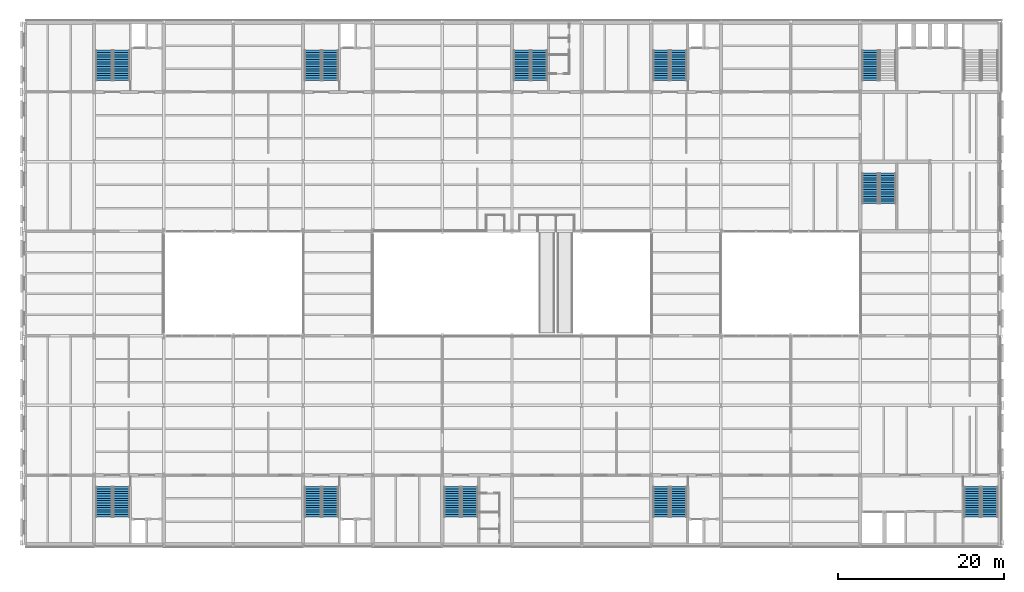
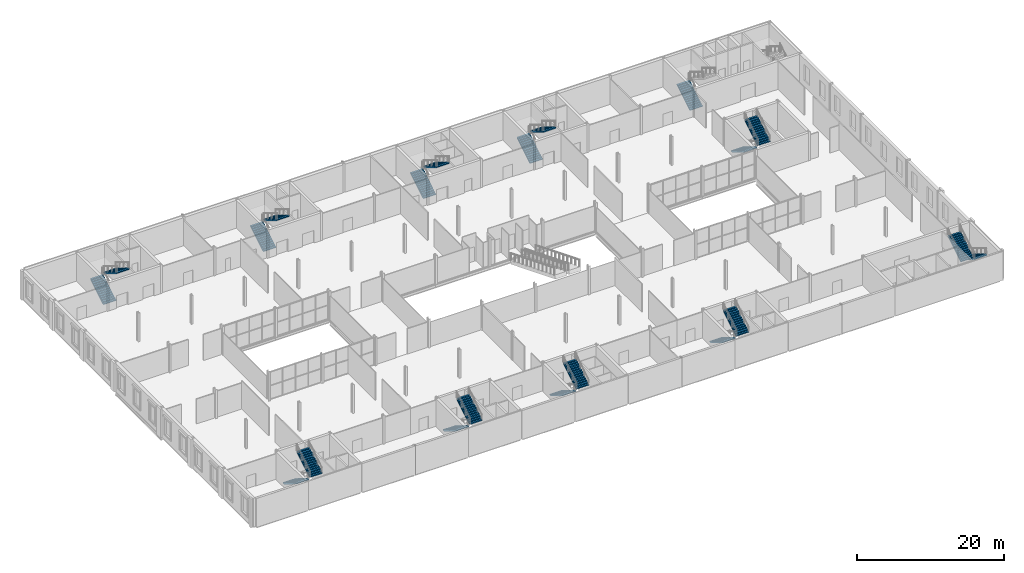
# One storey, part 35 of 52: 21 stair flights, 11 elements without a shape of their own.
"""IFC4 building model written with IfcOpenShell, lengths in metres."""

from ifc_helpers import new_model, si_unit, direction, frame, origin, place, context, subcontext, project, spatial, polyline, outline, extrude, material, type_object, element, aggregate, save


model = new_model("IFC4")

# Units and contexts
model_context = context("Model", 3, precision=1e-05, world=origin(), true_north=direction((0.0, 1.0)))
body_context = subcontext(model_context, "Body", "Model", "MODEL_VIEW")
ifc_project = project(units=[si_unit("LENGTHUNIT", "METRE"), si_unit("AREAUNIT", "SQUARE_METRE"), si_unit("VOLUMEUNIT", "CUBIC_METRE"), si_unit("PLANEANGLEUNIT", "RADIAN"), si_unit("MASSUNIT", "GRAM", prefix="KILO")], contexts=[model_context])

# Site, building, storey
site_placement = place(None, origin())
site = spatial("IfcSite", under=ifc_project, at=site_placement, CompositionType="ELEMENT")
building_placement = place(site_placement, origin())
building = spatial("IfcBuilding", under=site, at=building_placement, Name="Galleria Vessillo Department Store", CompositionType="ELEMENT")
storey_placement = place(building_placement, frame((0.0, 0.0, 16.199951171875)))
storey = spatial("IfcBuildingStorey", under=building, at=storey_placement, Name="L03", CompositionType="ELEMENT", Elevation=16.199951171875)

# Stair, stair flights
ifc_material_1 = material(Name="Concrete C32/40", Category="concrete")
stair_type = type_object("IfcStairType", Name="Half-turn escape stair 2000 mm, 28 risers of 171 mm", PredefinedType="HALF_TURN_STAIR", material=ifc_material_1)
stair_1_placement = place(storey_placement, origin())
stair_1 = element("IfcStair", 1, at=stair_1_placement, inside=storey, type_object=stair_type, Name="Stair ST1 L03", PredefinedType="HALF_TURN_STAIR")
ifc_material_2 = material(Name="Concrete C32/40", Category="concrete")
stair_flight_type = type_object("IfcStairFlightType", Name="Stair flight 2000 mm, 14 risers of 171 mm", PredefinedType="STRAIGHT", material=ifc_material_2)
stair_flight_1_placement = place(storey_placement, frame((9.60009765625, 7.00048828125, 0.0), z_axis=(0.0, 0.0, 1.0), x_axis=(0.0, -1.0, 0.0)))
stair_flight_1 = element("IfcStairFlight", 2, at=stair_flight_1_placement, type_object=stair_flight_type, Name="ST1 flight 1", NumberOfRisers=14, NumberOfTreads=13, PredefinedType="STRAIGHT", RiserHeight=0.171428571, TreadLength=0.28, context=body_context, shape_type="SweptSolid", body=[
    extrude(outline(polyline([(0.0, 0.0), (0.0, 0.17138671875), (0.280029296875, 0.17138671875), (0.280029296875, 0.3427734375), (0.56005859375, 0.3427734375), (0.56005859375, 0.514404296875), (0.840087890625, 0.514404296875), (0.840087890625, 0.685791015625), (1.1201171875, 0.685791015625), (1.1201171875, 0.857177734375), (1.39990234375, 0.857177734375), (1.39990234375, 1.028564453125), (1.679931640625, 1.028564453125), (1.679931640625, 1.199951171875), (1.9599609375, 1.199951171875), (1.9599609375, 1.371337890625), (2.239990234375, 1.371337890625), (2.239990234375, 1.54296875), (2.52001953125, 1.54296875), (2.52001953125, 1.71435546875), (2.800048828125, 1.71435546875), (2.800048828125, 1.8857421875), (3.080078125, 1.8857421875), (3.080078125, 2.05712890625), (3.360107421875, 2.05712890625), (3.360107421875, 2.228515625), (3.639892578125, 2.228515625), (3.639892578125, 2.39990234375), (3.639892578125, 2.052734375), (0.287109375, 0.0), (0.0, 0.0)])), frame((0.0, 1.0, 0.0), z_axis=(0.0, -1.0, 0.0), x_axis=(1.0, 0.0, 0.0)), (0.0, 0.0, 1.0), 2.0),
])
stair_flight_2_placement = place(storey_placement, frame((11.699951171875, 3.360595703125, 2.400146484375), z_axis=(0.0, 0.0, 1.0), x_axis=(0.0, 1.0, 0.0)))
stair_flight_2 = element("IfcStairFlight", 3, at=stair_flight_2_placement, type_object=stair_flight_type, Name="ST1 flight 2", NumberOfRisers=14, NumberOfTreads=13, PredefinedType="STRAIGHT", RiserHeight=0.171428571, TreadLength=0.28, context=body_context, shape_type="SweptSolid", body=[
    extrude(outline(polyline([(0.0, 0.0), (0.0, 0.17138671875), (0.280029296875, 0.17138671875), (0.280029296875, 0.3427734375), (0.56005859375, 0.3427734375), (0.56005859375, 0.514404296875), (0.840087890625, 0.514404296875), (0.840087890625, 0.685791015625), (1.1201171875, 0.685791015625), (1.1201171875, 0.857177734375), (1.39990234375, 0.857177734375), (1.39990234375, 1.028564453125), (1.679931640625, 1.028564453125), (1.679931640625, 1.199951171875), (1.9599609375, 1.199951171875), (1.9599609375, 1.371337890625), (2.239990234375, 1.371337890625), (2.239990234375, 1.54296875), (2.52001953125, 1.54296875), (2.52001953125, 1.71435546875), (2.800048828125, 1.71435546875), (2.800048828125, 1.8857421875), (3.080078125, 1.8857421875), (3.080078125, 2.05712890625), (3.360107421875, 2.05712890625), (3.360107421875, 2.228515625), (3.639892578125, 2.228515625), (3.639892578125, 2.39990234375), (3.639892578125, 2.052734375), (0.287109375, 0.0), (0.0, 0.0)])), frame((0.0, 1.0, 0.0), z_axis=(0.0, -1.0, 0.0), x_axis=(1.0, 0.0, 0.0)), (0.0, 0.0, 1.0), 2.0),
])
aggregate(stair_1, [stair_flight_1, stair_flight_2])

stair_2_placement = place(storey_placement, origin())
stair_2 = element("IfcStair", 4, at=stair_2_placement, inside=storey, type_object=stair_type, Name="Stair ST2 L03", PredefinedType="HALF_TURN_STAIR")
stair_flight_3_placement = place(storey_placement, frame((9.60009765625, 55.99951171875, 0.0), z_axis=(0.0, 0.0, 1.0), x_axis=(0.0, 1.0, 0.0)))
stair_flight_3 = element("IfcStairFlight", 5, at=stair_flight_3_placement, type_object=stair_flight_type, Name="ST2 flight 1", NumberOfRisers=14, NumberOfTreads=13, PredefinedType="STRAIGHT", RiserHeight=0.171428571, TreadLength=0.28, context=body_context, shape_type="SweptSolid", body=[
    extrude(outline(polyline([(0.0, 0.0), (0.0, 0.17138671875), (0.280029296875, 0.17138671875), (0.280029296875, 0.3427734375), (0.56005859375, 0.3427734375), (0.56005859375, 0.514404296875), (0.840087890625, 0.514404296875), (0.840087890625, 0.685791015625), (1.1201171875, 0.685791015625), (1.1201171875, 0.857177734375), (1.39990234375, 0.857177734375), (1.39990234375, 1.028564453125), (1.679931640625, 1.028564453125), (1.679931640625, 1.199951171875), (1.9599609375, 1.199951171875), (1.9599609375, 1.371337890625), (2.239990234375, 1.371337890625), (2.239990234375, 1.54296875), (2.52001953125, 1.54296875), (2.52001953125, 1.71435546875), (2.800048828125, 1.71435546875), (2.800048828125, 1.8857421875), (3.080078125, 1.8857421875), (3.080078125, 2.05712890625), (3.360107421875, 2.05712890625), (3.360107421875, 2.228515625), (3.639892578125, 2.228515625), (3.639892578125, 2.39990234375), (3.639892578125, 2.052734375), (0.287109375, 0.0), (0.0, 0.0)])), frame((0.0, 1.0, 0.0), z_axis=(0.0, -1.0, 0.0), x_axis=(1.0, 0.0, 0.0)), (0.0, 0.0, 1.0), 2.0),
])
stair_flight_4_placement = place(storey_placement, frame((11.699951171875, 59.639404296875, 2.400146484375), z_axis=(0.0, 0.0, 1.0), x_axis=(0.0, -1.0, 0.0)))
stair_flight_4 = element("IfcStairFlight", 6, at=stair_flight_4_placement, type_object=stair_flight_type, Name="ST2 flight 2", NumberOfRisers=14, NumberOfTreads=13, PredefinedType="STRAIGHT", RiserHeight=0.171428571, TreadLength=0.28, context=body_context, shape_type="SweptSolid", body=[
    extrude(outline(polyline([(0.0, 0.0), (0.0, 0.17138671875), (0.280029296875, 0.17138671875), (0.280029296875, 0.3427734375), (0.56005859375, 0.3427734375), (0.56005859375, 0.514404296875), (0.840087890625, 0.514404296875), (0.840087890625, 0.685791015625), (1.1201171875, 0.685791015625), (1.1201171875, 0.857177734375), (1.39990234375, 0.857177734375), (1.39990234375, 1.028564453125), (1.679931640625, 1.028564453125), (1.679931640625, 1.199951171875), (1.9599609375, 1.199951171875), (1.9599609375, 1.371337890625), (2.239990234375, 1.371337890625), (2.239990234375, 1.54296875), (2.52001953125, 1.54296875), (2.52001953125, 1.71435546875), (2.800048828125, 1.71435546875), (2.800048828125, 1.8857421875), (3.080078125, 1.8857421875), (3.080078125, 2.05712890625), (3.360107421875, 2.05712890625), (3.360107421875, 2.228515625), (3.639892578125, 2.228515625), (3.639892578125, 2.39990234375), (3.639892578125, 2.052734375), (0.287109375, 0.0), (0.0, 0.0)])), frame((0.0, 1.0, 0.0), z_axis=(0.0, -1.0, 0.0), x_axis=(1.0, 0.0, 0.0)), (0.0, 0.0, 1.0), 2.0),
])
aggregate(stair_2, [stair_flight_3, stair_flight_4])

stair_3_placement = place(storey_placement, origin())
stair_3 = element("IfcStair", 7, at=stair_3_placement, inside=storey, type_object=stair_type, Name="Stair ST3 L03", PredefinedType="HALF_TURN_STAIR")
stair_flight_5_placement = place(storey_placement, frame((34.800048828125, 7.00048828125, 0.0), z_axis=(0.0, 0.0, 1.0), x_axis=(0.0, -1.0, 0.0)))
stair_flight_5 = element("IfcStairFlight", 8, at=stair_flight_5_placement, type_object=stair_flight_type, Name="ST3 flight 1", NumberOfRisers=14, NumberOfTreads=13, PredefinedType="STRAIGHT", RiserHeight=0.171428571, TreadLength=0.28, context=body_context, shape_type="SweptSolid", body=[
    extrude(outline(polyline([(0.0, 0.0), (0.0, 0.17138671875), (0.280029296875, 0.17138671875), (0.280029296875, 0.3427734375), (0.56005859375, 0.3427734375), (0.56005859375, 0.514404296875), (0.840087890625, 0.514404296875), (0.840087890625, 0.685791015625), (1.1201171875, 0.685791015625), (1.1201171875, 0.857177734375), (1.39990234375, 0.857177734375), (1.39990234375, 1.028564453125), (1.679931640625, 1.028564453125), (1.679931640625, 1.199951171875), (1.9599609375, 1.199951171875), (1.9599609375, 1.371337890625), (2.239990234375, 1.371337890625), (2.239990234375, 1.54296875), (2.52001953125, 1.54296875), (2.52001953125, 1.71435546875), (2.800048828125, 1.71435546875), (2.800048828125, 1.8857421875), (3.080078125, 1.8857421875), (3.080078125, 2.05712890625), (3.360107421875, 2.05712890625), (3.360107421875, 2.228515625), (3.639892578125, 2.228515625), (3.639892578125, 2.39990234375), (3.639892578125, 2.052734375), (0.287109375, 0.0), (0.0, 0.0)])), frame((0.0, 1.0, 0.0), z_axis=(0.0, -1.0, 0.0), x_axis=(1.0, 0.0, 0.0)), (0.0, 0.0, 1.0), 2.0),
])
stair_flight_6_placement = place(storey_placement, frame((36.89990234375, 3.360595703125, 2.400146484375), z_axis=(0.0, 0.0, 1.0), x_axis=(0.0, 1.0, 0.0)))
stair_flight_6 = element("IfcStairFlight", 9, at=stair_flight_6_placement, type_object=stair_flight_type, Name="ST3 flight 2", NumberOfRisers=14, NumberOfTreads=13, PredefinedType="STRAIGHT", RiserHeight=0.171428571, TreadLength=0.28, context=body_context, shape_type="SweptSolid", body=[
    extrude(outline(polyline([(0.0, 0.0), (0.0, 0.17138671875), (0.280029296875, 0.17138671875), (0.280029296875, 0.3427734375), (0.56005859375, 0.3427734375), (0.56005859375, 0.514404296875), (0.840087890625, 0.514404296875), (0.840087890625, 0.685791015625), (1.1201171875, 0.685791015625), (1.1201171875, 0.857177734375), (1.39990234375, 0.857177734375), (1.39990234375, 1.028564453125), (1.679931640625, 1.028564453125), (1.679931640625, 1.199951171875), (1.9599609375, 1.199951171875), (1.9599609375, 1.371337890625), (2.239990234375, 1.371337890625), (2.239990234375, 1.54296875), (2.52001953125, 1.54296875), (2.52001953125, 1.71435546875), (2.800048828125, 1.71435546875), (2.800048828125, 1.8857421875), (3.080078125, 1.8857421875), (3.080078125, 2.05712890625), (3.360107421875, 2.05712890625), (3.360107421875, 2.228515625), (3.639892578125, 2.228515625), (3.639892578125, 2.39990234375), (3.639892578125, 2.052734375), (0.287109375, 0.0), (0.0, 0.0)])), frame((0.0, 1.0, 0.0), z_axis=(0.0, -1.0, 0.0), x_axis=(1.0, 0.0, 0.0)), (0.0, 0.0, 1.0), 2.0),
])
aggregate(stair_3, [stair_flight_5, stair_flight_6])

stair_4_placement = place(storey_placement, origin())
stair_4 = element("IfcStair", 10, at=stair_4_placement, inside=storey, type_object=stair_type, Name="Stair ST4 L03", PredefinedType="HALF_TURN_STAIR")
stair_flight_7_placement = place(storey_placement, frame((34.800048828125, 55.99951171875, 0.0), z_axis=(0.0, 0.0, 1.0), x_axis=(0.0, 1.0, 0.0)))
stair_flight_7 = element("IfcStairFlight", 11, at=stair_flight_7_placement, type_object=stair_flight_type, Name="ST4 flight 1", NumberOfRisers=14, NumberOfTreads=13, PredefinedType="STRAIGHT", RiserHeight=0.171428571, TreadLength=0.28, context=body_context, shape_type="SweptSolid", body=[
    extrude(outline(polyline([(0.0, 0.0), (0.0, 0.17138671875), (0.280029296875, 0.17138671875), (0.280029296875, 0.3427734375), (0.56005859375, 0.3427734375), (0.56005859375, 0.514404296875), (0.840087890625, 0.514404296875), (0.840087890625, 0.685791015625), (1.1201171875, 0.685791015625), (1.1201171875, 0.857177734375), (1.39990234375, 0.857177734375), (1.39990234375, 1.028564453125), (1.679931640625, 1.028564453125), (1.679931640625, 1.199951171875), (1.9599609375, 1.199951171875), (1.9599609375, 1.371337890625), (2.239990234375, 1.371337890625), (2.239990234375, 1.54296875), (2.52001953125, 1.54296875), (2.52001953125, 1.71435546875), (2.800048828125, 1.71435546875), (2.800048828125, 1.8857421875), (3.080078125, 1.8857421875), (3.080078125, 2.05712890625), (3.360107421875, 2.05712890625), (3.360107421875, 2.228515625), (3.639892578125, 2.228515625), (3.639892578125, 2.39990234375), (3.639892578125, 2.052734375), (0.287109375, 0.0), (0.0, 0.0)])), frame((0.0, 1.0, 0.0), z_axis=(0.0, -1.0, 0.0), x_axis=(1.0, 0.0, 0.0)), (0.0, 0.0, 1.0), 2.0),
])
stair_flight_8_placement = place(storey_placement, frame((36.89990234375, 59.639404296875, 2.400146484375), z_axis=(0.0, 0.0, 1.0), x_axis=(0.0, -1.0, 0.0)))
stair_flight_8 = element("IfcStairFlight", 12, at=stair_flight_8_placement, type_object=stair_flight_type, Name="ST4 flight 2", NumberOfRisers=14, NumberOfTreads=13, PredefinedType="STRAIGHT", RiserHeight=0.171428571, TreadLength=0.28, context=body_context, shape_type="SweptSolid", body=[
    extrude(outline(polyline([(0.0, 0.0), (0.0, 0.17138671875), (0.280029296875, 0.17138671875), (0.280029296875, 0.3427734375), (0.56005859375, 0.3427734375), (0.56005859375, 0.514404296875), (0.840087890625, 0.514404296875), (0.840087890625, 0.685791015625), (1.1201171875, 0.685791015625), (1.1201171875, 0.857177734375), (1.39990234375, 0.857177734375), (1.39990234375, 1.028564453125), (1.679931640625, 1.028564453125), (1.679931640625, 1.199951171875), (1.9599609375, 1.199951171875), (1.9599609375, 1.371337890625), (2.239990234375, 1.371337890625), (2.239990234375, 1.54296875), (2.52001953125, 1.54296875), (2.52001953125, 1.71435546875), (2.800048828125, 1.71435546875), (2.800048828125, 1.8857421875), (3.080078125, 1.8857421875), (3.080078125, 2.05712890625), (3.360107421875, 2.05712890625), (3.360107421875, 2.228515625), (3.639892578125, 2.228515625), (3.639892578125, 2.39990234375), (3.639892578125, 2.052734375), (0.287109375, 0.0), (0.0, 0.0)])), frame((0.0, 1.0, 0.0), z_axis=(0.0, -1.0, 0.0), x_axis=(1.0, 0.0, 0.0)), (0.0, 0.0, 1.0), 2.0),
])
aggregate(stair_4, [stair_flight_7, stair_flight_8])

stair_5_placement = place(storey_placement, origin())
stair_5 = element("IfcStair", 13, at=stair_5_placement, inside=storey, type_object=stair_type, Name="Stair ST5 L03", PredefinedType="HALF_TURN_STAIR")
stair_flight_9_placement = place(storey_placement, frame((76.800048828125, 7.00048828125, 0.0), z_axis=(0.0, 0.0, 1.0), x_axis=(0.0, -1.0, 0.0)))
stair_flight_9 = element("IfcStairFlight", 14, at=stair_flight_9_placement, type_object=stair_flight_type, Name="ST5 flight 1", NumberOfRisers=14, NumberOfTreads=13, PredefinedType="STRAIGHT", RiserHeight=0.171428571, TreadLength=0.28, context=body_context, shape_type="SweptSolid", body=[
    extrude(outline(polyline([(0.0, 0.0), (0.0, 0.17138671875), (0.280029296875, 0.17138671875), (0.280029296875, 0.3427734375), (0.56005859375, 0.3427734375), (0.56005859375, 0.514404296875), (0.840087890625, 0.514404296875), (0.840087890625, 0.685791015625), (1.1201171875, 0.685791015625), (1.1201171875, 0.857177734375), (1.39990234375, 0.857177734375), (1.39990234375, 1.028564453125), (1.679931640625, 1.028564453125), (1.679931640625, 1.199951171875), (1.9599609375, 1.199951171875), (1.9599609375, 1.371337890625), (2.239990234375, 1.371337890625), (2.239990234375, 1.54296875), (2.52001953125, 1.54296875), (2.52001953125, 1.71435546875), (2.800048828125, 1.71435546875), (2.800048828125, 1.8857421875), (3.080078125, 1.8857421875), (3.080078125, 2.05712890625), (3.360107421875, 2.05712890625), (3.360107421875, 2.228515625), (3.639892578125, 2.228515625), (3.639892578125, 2.39990234375), (3.639892578125, 2.052734375), (0.287109375, 0.0), (0.0, 0.0)])), frame((0.0, 1.0, 0.0), z_axis=(0.0, -1.0, 0.0), x_axis=(1.0, 0.0, 0.0)), (0.0, 0.0, 1.0), 2.0),
])
stair_flight_10_placement = place(storey_placement, frame((78.89990234375, 3.360595703125, 2.400146484375), z_axis=(0.0, 0.0, 1.0), x_axis=(0.0, 1.0, 0.0)))
stair_flight_10 = element("IfcStairFlight", 15, at=stair_flight_10_placement, type_object=stair_flight_type, Name="ST5 flight 2", NumberOfRisers=14, NumberOfTreads=13, PredefinedType="STRAIGHT", RiserHeight=0.171428571, TreadLength=0.28, context=body_context, shape_type="SweptSolid", body=[
    extrude(outline(polyline([(0.0, 0.0), (0.0, 0.17138671875), (0.280029296875, 0.17138671875), (0.280029296875, 0.3427734375), (0.56005859375, 0.3427734375), (0.56005859375, 0.514404296875), (0.840087890625, 0.514404296875), (0.840087890625, 0.685791015625), (1.1201171875, 0.685791015625), (1.1201171875, 0.857177734375), (1.39990234375, 0.857177734375), (1.39990234375, 1.028564453125), (1.679931640625, 1.028564453125), (1.679931640625, 1.199951171875), (1.9599609375, 1.199951171875), (1.9599609375, 1.371337890625), (2.239990234375, 1.371337890625), (2.239990234375, 1.54296875), (2.52001953125, 1.54296875), (2.52001953125, 1.71435546875), (2.800048828125, 1.71435546875), (2.800048828125, 1.8857421875), (3.080078125, 1.8857421875), (3.080078125, 2.05712890625), (3.360107421875, 2.05712890625), (3.360107421875, 2.228515625), (3.639892578125, 2.228515625), (3.639892578125, 2.39990234375), (3.639892578125, 2.052734375), (0.287109375, 0.0), (0.0, 0.0)])), frame((0.0, 1.0, 0.0), z_axis=(0.0, -1.0, 0.0), x_axis=(1.0, 0.0, 0.0)), (0.0, 0.0, 1.0), 2.0),
])
aggregate(stair_5, [stair_flight_9, stair_flight_10])

stair_6_placement = place(storey_placement, origin())
stair_6 = element("IfcStair", 16, at=stair_6_placement, inside=storey, type_object=stair_type, Name="Stair ST6 L03", PredefinedType="HALF_TURN_STAIR")
stair_flight_11_placement = place(storey_placement, frame((76.800048828125, 55.99951171875, 0.0), z_axis=(0.0, 0.0, 1.0), x_axis=(0.0, 1.0, 0.0)))
stair_flight_11 = element("IfcStairFlight", 17, at=stair_flight_11_placement, type_object=stair_flight_type, Name="ST6 flight 1", NumberOfRisers=14, NumberOfTreads=13, PredefinedType="STRAIGHT", RiserHeight=0.171428571, TreadLength=0.28, context=body_context, shape_type="SweptSolid", body=[
    extrude(outline(polyline([(0.0, 0.0), (0.0, 0.17138671875), (0.280029296875, 0.17138671875), (0.280029296875, 0.3427734375), (0.56005859375, 0.3427734375), (0.56005859375, 0.514404296875), (0.840087890625, 0.514404296875), (0.840087890625, 0.685791015625), (1.1201171875, 0.685791015625), (1.1201171875, 0.857177734375), (1.39990234375, 0.857177734375), (1.39990234375, 1.028564453125), (1.679931640625, 1.028564453125), (1.679931640625, 1.199951171875), (1.9599609375, 1.199951171875), (1.9599609375, 1.371337890625), (2.239990234375, 1.371337890625), (2.239990234375, 1.54296875), (2.52001953125, 1.54296875), (2.52001953125, 1.71435546875), (2.800048828125, 1.71435546875), (2.800048828125, 1.8857421875), (3.080078125, 1.8857421875), (3.080078125, 2.05712890625), (3.360107421875, 2.05712890625), (3.360107421875, 2.228515625), (3.639892578125, 2.228515625), (3.639892578125, 2.39990234375), (3.639892578125, 2.052734375), (0.287109375, 0.0), (0.0, 0.0)])), frame((0.0, 1.0, 0.0), z_axis=(0.0, -1.0, 0.0), x_axis=(1.0, 0.0, 0.0)), (0.0, 0.0, 1.0), 2.0),
])
stair_flight_12_placement = place(storey_placement, frame((78.89990234375, 59.639404296875, 2.400146484375), z_axis=(0.0, 0.0, 1.0), x_axis=(0.0, -1.0, 0.0)))
stair_flight_12 = element("IfcStairFlight", 18, at=stair_flight_12_placement, type_object=stair_flight_type, Name="ST6 flight 2", NumberOfRisers=14, NumberOfTreads=13, PredefinedType="STRAIGHT", RiserHeight=0.171428571, TreadLength=0.28, context=body_context, shape_type="SweptSolid", body=[
    extrude(outline(polyline([(0.0, 0.0), (0.0, 0.17138671875), (0.280029296875, 0.17138671875), (0.280029296875, 0.3427734375), (0.56005859375, 0.3427734375), (0.56005859375, 0.514404296875), (0.840087890625, 0.514404296875), (0.840087890625, 0.685791015625), (1.1201171875, 0.685791015625), (1.1201171875, 0.857177734375), (1.39990234375, 0.857177734375), (1.39990234375, 1.028564453125), (1.679931640625, 1.028564453125), (1.679931640625, 1.199951171875), (1.9599609375, 1.199951171875), (1.9599609375, 1.371337890625), (2.239990234375, 1.371337890625), (2.239990234375, 1.54296875), (2.52001953125, 1.54296875), (2.52001953125, 1.71435546875), (2.800048828125, 1.71435546875), (2.800048828125, 1.8857421875), (3.080078125, 1.8857421875), (3.080078125, 2.05712890625), (3.360107421875, 2.05712890625), (3.360107421875, 2.228515625), (3.639892578125, 2.228515625), (3.639892578125, 2.39990234375), (3.639892578125, 2.052734375), (0.287109375, 0.0), (0.0, 0.0)])), frame((0.0, 1.0, 0.0), z_axis=(0.0, -1.0, 0.0), x_axis=(1.0, 0.0, 0.0)), (0.0, 0.0, 1.0), 2.0),
])
aggregate(stair_6, [stair_flight_11, stair_flight_12])

stair_7_placement = place(storey_placement, origin())
stair_7 = element("IfcStair", 19, at=stair_7_placement, inside=storey, type_object=stair_type, Name="Stair ST10 L03", PredefinedType="HALF_TURN_STAIR")
stair_flight_13_placement = place(storey_placement, frame((51.60009765625, 7.00048828125, 0.0), z_axis=(0.0, 0.0, 1.0), x_axis=(0.0, -1.0, 0.0)))
stair_flight_13 = element("IfcStairFlight", 20, at=stair_flight_13_placement, type_object=stair_flight_type, Name="ST10 flight 1", NumberOfRisers=14, NumberOfTreads=13, PredefinedType="STRAIGHT", RiserHeight=0.171428571, TreadLength=0.28, context=body_context, shape_type="SweptSolid", body=[
    extrude(outline(polyline([(0.0, 0.0), (0.0, 0.17138671875), (0.280029296875, 0.17138671875), (0.280029296875, 0.3427734375), (0.56005859375, 0.3427734375), (0.56005859375, 0.514404296875), (0.840087890625, 0.514404296875), (0.840087890625, 0.685791015625), (1.1201171875, 0.685791015625), (1.1201171875, 0.857177734375), (1.39990234375, 0.857177734375), (1.39990234375, 1.028564453125), (1.679931640625, 1.028564453125), (1.679931640625, 1.199951171875), (1.9599609375, 1.199951171875), (1.9599609375, 1.371337890625), (2.239990234375, 1.371337890625), (2.239990234375, 1.54296875), (2.52001953125, 1.54296875), (2.52001953125, 1.71435546875), (2.800048828125, 1.71435546875), (2.800048828125, 1.8857421875), (3.080078125, 1.8857421875), (3.080078125, 2.05712890625), (3.360107421875, 2.05712890625), (3.360107421875, 2.228515625), (3.639892578125, 2.228515625), (3.639892578125, 2.39990234375), (3.639892578125, 2.052734375), (0.287109375, 0.0), (0.0, 0.0)])), frame((0.0, 1.0, 0.0), z_axis=(0.0, -1.0, 0.0), x_axis=(1.0, 0.0, 0.0)), (0.0, 0.0, 1.0), 2.0),
])
stair_flight_14_placement = place(storey_placement, frame((53.699951171875, 3.360595703125, 2.400146484375), z_axis=(0.0, 0.0, 1.0), x_axis=(0.0, 1.0, 0.0)))
stair_flight_14 = element("IfcStairFlight", 21, at=stair_flight_14_placement, type_object=stair_flight_type, Name="ST10 flight 2", NumberOfRisers=14, NumberOfTreads=13, PredefinedType="STRAIGHT", RiserHeight=0.171428571, TreadLength=0.28, context=body_context, shape_type="SweptSolid", body=[
    extrude(outline(polyline([(0.0, 0.0), (0.0, 0.17138671875), (0.280029296875, 0.17138671875), (0.280029296875, 0.3427734375), (0.56005859375, 0.3427734375), (0.56005859375, 0.514404296875), (0.840087890625, 0.514404296875), (0.840087890625, 0.685791015625), (1.1201171875, 0.685791015625), (1.1201171875, 0.857177734375), (1.39990234375, 0.857177734375), (1.39990234375, 1.028564453125), (1.679931640625, 1.028564453125), (1.679931640625, 1.199951171875), (1.9599609375, 1.199951171875), (1.9599609375, 1.371337890625), (2.239990234375, 1.371337890625), (2.239990234375, 1.54296875), (2.52001953125, 1.54296875), (2.52001953125, 1.71435546875), (2.800048828125, 1.71435546875), (2.800048828125, 1.8857421875), (3.080078125, 1.8857421875), (3.080078125, 2.05712890625), (3.360107421875, 2.05712890625), (3.360107421875, 2.228515625), (3.639892578125, 2.228515625), (3.639892578125, 2.39990234375), (3.639892578125, 2.052734375), (0.287109375, 0.0), (0.0, 0.0)])), frame((0.0, 1.0, 0.0), z_axis=(0.0, -1.0, 0.0), x_axis=(1.0, 0.0, 0.0)), (0.0, 0.0, 1.0), 2.0),
])
aggregate(stair_7, [stair_flight_13, stair_flight_14])

stair_8_placement = place(storey_placement, origin())
stair_8 = element("IfcStair", 22, at=stair_8_placement, inside=storey, type_object=stair_type, Name="Stair ST11 L03", PredefinedType="HALF_TURN_STAIR")
stair_flight_15_placement = place(storey_placement, frame((60.0, 55.99951171875, 0.0), z_axis=(0.0, 0.0, 1.0), x_axis=(0.0, 1.0, 0.0)))
stair_flight_15 = element("IfcStairFlight", 23, at=stair_flight_15_placement, type_object=stair_flight_type, Name="ST11 flight 1", NumberOfRisers=14, NumberOfTreads=13, PredefinedType="STRAIGHT", RiserHeight=0.171428571, TreadLength=0.28, context=body_context, shape_type="SweptSolid", body=[
    extrude(outline(polyline([(0.0, 0.0), (0.0, 0.17138671875), (0.280029296875, 0.17138671875), (0.280029296875, 0.3427734375), (0.56005859375, 0.3427734375), (0.56005859375, 0.514404296875), (0.840087890625, 0.514404296875), (0.840087890625, 0.685791015625), (1.1201171875, 0.685791015625), (1.1201171875, 0.857177734375), (1.39990234375, 0.857177734375), (1.39990234375, 1.028564453125), (1.679931640625, 1.028564453125), (1.679931640625, 1.199951171875), (1.9599609375, 1.199951171875), (1.9599609375, 1.371337890625), (2.239990234375, 1.371337890625), (2.239990234375, 1.54296875), (2.52001953125, 1.54296875), (2.52001953125, 1.71435546875), (2.800048828125, 1.71435546875), (2.800048828125, 1.8857421875), (3.080078125, 1.8857421875), (3.080078125, 2.05712890625), (3.360107421875, 2.05712890625), (3.360107421875, 2.228515625), (3.639892578125, 2.228515625), (3.639892578125, 2.39990234375), (3.639892578125, 2.052734375), (0.287109375, 0.0), (0.0, 0.0)])), frame((0.0, 1.0, 0.0), z_axis=(0.0, -1.0, 0.0), x_axis=(1.0, 0.0, 0.0)), (0.0, 0.0, 1.0), 2.0),
])
stair_flight_16_placement = place(storey_placement, frame((62.10009765625, 59.639404296875, 2.400146484375), z_axis=(0.0, 0.0, 1.0), x_axis=(0.0, -1.0, 0.0)))
stair_flight_16 = element("IfcStairFlight", 24, at=stair_flight_16_placement, type_object=stair_flight_type, Name="ST11 flight 2", NumberOfRisers=14, NumberOfTreads=13, PredefinedType="STRAIGHT", RiserHeight=0.171428571, TreadLength=0.28, context=body_context, shape_type="SweptSolid", body=[
    extrude(outline(polyline([(0.0, 0.0), (0.0, 0.17138671875), (0.280029296875, 0.17138671875), (0.280029296875, 0.3427734375), (0.56005859375, 0.3427734375), (0.56005859375, 0.514404296875), (0.840087890625, 0.514404296875), (0.840087890625, 0.685791015625), (1.1201171875, 0.685791015625), (1.1201171875, 0.857177734375), (1.39990234375, 0.857177734375), (1.39990234375, 1.028564453125), (1.679931640625, 1.028564453125), (1.679931640625, 1.199951171875), (1.9599609375, 1.199951171875), (1.9599609375, 1.371337890625), (2.239990234375, 1.371337890625), (2.239990234375, 1.54296875), (2.52001953125, 1.54296875), (2.52001953125, 1.71435546875), (2.800048828125, 1.71435546875), (2.800048828125, 1.8857421875), (3.080078125, 1.8857421875), (3.080078125, 2.05712890625), (3.360107421875, 2.05712890625), (3.360107421875, 2.228515625), (3.639892578125, 2.228515625), (3.639892578125, 2.39990234375), (3.639892578125, 2.052734375), (0.287109375, 0.0), (0.0, 0.0)])), frame((0.0, 1.0, 0.0), z_axis=(0.0, -1.0, 0.0), x_axis=(1.0, 0.0, 0.0)), (0.0, 0.0, 1.0), 2.0),
])
aggregate(stair_8, [stair_flight_15, stair_flight_16])

stair_9_placement = place(storey_placement, origin())
stair_9 = element("IfcStair", 25, at=stair_9_placement, inside=storey, type_object=stair_type, Name="Stair ST7 L03", PredefinedType="HALF_TURN_STAIR")
stair_flight_17_placement = place(storey_placement, frame((116.39990234375, 7.00048828125, 0.0), z_axis=(0.0, 0.0, 1.0), x_axis=(0.0, -1.0, 0.0)))
stair_flight_17 = element("IfcStairFlight", 26, at=stair_flight_17_placement, type_object=stair_flight_type, Name="ST7 flight 1", NumberOfRisers=14, NumberOfTreads=13, PredefinedType="STRAIGHT", RiserHeight=0.171428571, TreadLength=0.28, context=body_context, shape_type="SweptSolid", body=[
    extrude(outline(polyline([(0.0, 0.0), (0.0, 0.17138671875), (0.280029296875, 0.17138671875), (0.280029296875, 0.3427734375), (0.56005859375, 0.3427734375), (0.56005859375, 0.514404296875), (0.840087890625, 0.514404296875), (0.840087890625, 0.685791015625), (1.1201171875, 0.685791015625), (1.1201171875, 0.857177734375), (1.39990234375, 0.857177734375), (1.39990234375, 1.028564453125), (1.679931640625, 1.028564453125), (1.679931640625, 1.199951171875), (1.9599609375, 1.199951171875), (1.9599609375, 1.371337890625), (2.239990234375, 1.371337890625), (2.239990234375, 1.54296875), (2.52001953125, 1.54296875), (2.52001953125, 1.71435546875), (2.800048828125, 1.71435546875), (2.800048828125, 1.8857421875), (3.080078125, 1.8857421875), (3.080078125, 2.05712890625), (3.360107421875, 2.05712890625), (3.360107421875, 2.228515625), (3.639892578125, 2.228515625), (3.639892578125, 2.39990234375), (3.639892578125, 2.052734375), (0.287109375, 0.0), (0.0, 0.0)])), frame((0.0, 1.0, 0.0), z_axis=(0.0, -1.0, 0.0), x_axis=(1.0, 0.0, 0.0)), (0.0, 0.0, 1.0), 2.0),
])
stair_flight_18_placement = place(storey_placement, frame((114.300048828125, 3.360595703125, 2.400146484375), z_axis=(0.0, 0.0, 1.0), x_axis=(0.0, 1.0, 0.0)))
stair_flight_18 = element("IfcStairFlight", 27, at=stair_flight_18_placement, type_object=stair_flight_type, Name="ST7 flight 2", NumberOfRisers=14, NumberOfTreads=13, PredefinedType="STRAIGHT", RiserHeight=0.171428571, TreadLength=0.28, context=body_context, shape_type="SweptSolid", body=[
    extrude(outline(polyline([(0.0, 0.0), (0.0, 0.17138671875), (0.280029296875, 0.17138671875), (0.280029296875, 0.3427734375), (0.56005859375, 0.3427734375), (0.56005859375, 0.514404296875), (0.840087890625, 0.514404296875), (0.840087890625, 0.685791015625), (1.1201171875, 0.685791015625), (1.1201171875, 0.857177734375), (1.39990234375, 0.857177734375), (1.39990234375, 1.028564453125), (1.679931640625, 1.028564453125), (1.679931640625, 1.199951171875), (1.9599609375, 1.199951171875), (1.9599609375, 1.371337890625), (2.239990234375, 1.371337890625), (2.239990234375, 1.54296875), (2.52001953125, 1.54296875), (2.52001953125, 1.71435546875), (2.800048828125, 1.71435546875), (2.800048828125, 1.8857421875), (3.080078125, 1.8857421875), (3.080078125, 2.05712890625), (3.360107421875, 2.05712890625), (3.360107421875, 2.228515625), (3.639892578125, 2.228515625), (3.639892578125, 2.39990234375), (3.639892578125, 2.052734375), (0.287109375, 0.0), (0.0, 0.0)])), frame((0.0, 1.0, 0.0), z_axis=(0.0, -1.0, 0.0), x_axis=(1.0, 0.0, 0.0)), (0.0, 0.0, 1.0), 2.0),
])
aggregate(stair_9, [stair_flight_17, stair_flight_18])

# Stair, stair flight
stair_10_placement = place(storey_placement, origin())
stair_10 = element("IfcStair", 28, at=stair_10_placement, inside=storey, type_object=stair_type, Name="Stair ST8 L03", PredefinedType="HALF_TURN_STAIR")
stair_flight_19_placement = place(storey_placement, frame((102.0, 55.99951171875, 0.0), z_axis=(0.0, 0.0, 1.0), x_axis=(0.0, 1.0, 0.0)))
stair_flight_19 = element("IfcStairFlight", 29, at=stair_flight_19_placement, type_object=stair_flight_type, Name="ST8 flight 1", NumberOfRisers=14, NumberOfTreads=13, PredefinedType="STRAIGHT", RiserHeight=0.171428571, TreadLength=0.28, context=body_context, shape_type="SweptSolid", body=[
    extrude(outline(polyline([(0.0, 0.0), (0.0, 0.17138671875), (0.280029296875, 0.17138671875), (0.280029296875, 0.3427734375), (0.56005859375, 0.3427734375), (0.56005859375, 0.514404296875), (0.840087890625, 0.514404296875), (0.840087890625, 0.685791015625), (1.1201171875, 0.685791015625), (1.1201171875, 0.857177734375), (1.39990234375, 0.857177734375), (1.39990234375, 1.028564453125), (1.679931640625, 1.028564453125), (1.679931640625, 1.199951171875), (1.9599609375, 1.199951171875), (1.9599609375, 1.371337890625), (2.239990234375, 1.371337890625), (2.239990234375, 1.54296875), (2.52001953125, 1.54296875), (2.52001953125, 1.71435546875), (2.800048828125, 1.71435546875), (2.800048828125, 1.8857421875), (3.080078125, 1.8857421875), (3.080078125, 2.05712890625), (3.360107421875, 2.05712890625), (3.360107421875, 2.228515625), (3.639892578125, 2.228515625), (3.639892578125, 2.39990234375), (3.639892578125, 2.052734375), (0.287109375, 0.0), (0.0, 0.0)])), frame((0.0, 1.0, 0.0), z_axis=(0.0, -1.0, 0.0), x_axis=(1.0, 0.0, 0.0)), (0.0, 0.0, 1.0), 2.0),
])
aggregate(stair_10, [stair_flight_19])

# Stair, stair flights
stair_11_placement = place(storey_placement, origin())
stair_11 = element("IfcStair", 30, at=stair_11_placement, inside=storey, type_object=stair_type, Name="Stair ST12 L03", PredefinedType="HALF_TURN_STAIR")
stair_flight_20_placement = place(storey_placement, frame((102.0, 44.800537109375, 0.0), z_axis=(0.0, 0.0, 1.0), x_axis=(0.0, -1.0, 0.0)))
stair_flight_20 = element("IfcStairFlight", 31, at=stair_flight_20_placement, type_object=stair_flight_type, Name="ST12 flight 1", NumberOfRisers=14, NumberOfTreads=13, PredefinedType="STRAIGHT", RiserHeight=0.171428571, TreadLength=0.28, context=body_context, shape_type="SweptSolid", body=[
    extrude(outline(polyline([(0.0, 0.0), (0.0, 0.17138671875), (0.280029296875, 0.17138671875), (0.280029296875, 0.3427734375), (0.56005859375, 0.3427734375), (0.56005859375, 0.514404296875), (0.840087890625, 0.514404296875), (0.840087890625, 0.685791015625), (1.1201171875, 0.685791015625), (1.1201171875, 0.857177734375), (1.39990234375, 0.857177734375), (1.39990234375, 1.028564453125), (1.679931640625, 1.028564453125), (1.679931640625, 1.199951171875), (1.9599609375, 1.199951171875), (1.9599609375, 1.371337890625), (2.239990234375, 1.371337890625), (2.239990234375, 1.54296875), (2.52001953125, 1.54296875), (2.52001953125, 1.71435546875), (2.800048828125, 1.71435546875), (2.800048828125, 1.8857421875), (3.080078125, 1.8857421875), (3.080078125, 2.05712890625), (3.360107421875, 2.05712890625), (3.360107421875, 2.228515625), (3.639892578125, 2.228515625), (3.639892578125, 2.39990234375), (3.639892578125, 2.052734375), (0.287109375, 0.0), (0.0, 0.0)])), frame((0.0, 1.0, 0.0), z_axis=(0.0, -1.0, 0.0), x_axis=(1.0, 0.0, 0.0)), (0.0, 0.0, 1.0), 2.0),
])
stair_flight_21_placement = place(storey_placement, frame((104.10009765625, 41.160400390625, 2.400146484375), z_axis=(0.0, 0.0, 1.0), x_axis=(0.0, 1.0, 0.0)))
stair_flight_21 = element("IfcStairFlight", 32, at=stair_flight_21_placement, type_object=stair_flight_type, Name="ST12 flight 2", NumberOfRisers=14, NumberOfTreads=13, PredefinedType="STRAIGHT", RiserHeight=0.171428571, TreadLength=0.28, context=body_context, shape_type="SweptSolid", body=[
    extrude(outline(polyline([(0.0, 0.0), (0.0, 0.17138671875), (0.280029296875, 0.17138671875), (0.280029296875, 0.3427734375), (0.56005859375, 0.3427734375), (0.56005859375, 0.514404296875), (0.840087890625, 0.514404296875), (0.840087890625, 0.685791015625), (1.1201171875, 0.685791015625), (1.1201171875, 0.857177734375), (1.39990234375, 0.857177734375), (1.39990234375, 1.028564453125), (1.679931640625, 1.028564453125), (1.679931640625, 1.199951171875), (1.9599609375, 1.199951171875), (1.9599609375, 1.371337890625), (2.239990234375, 1.371337890625), (2.239990234375, 1.54296875), (2.52001953125, 1.54296875), (2.52001953125, 1.71435546875), (2.800048828125, 1.71435546875), (2.800048828125, 1.8857421875), (3.080078125, 1.8857421875), (3.080078125, 2.05712890625), (3.360107421875, 2.05712890625), (3.360107421875, 2.228515625), (3.639892578125, 2.228515625), (3.639892578125, 2.39990234375), (3.639892578125, 2.052734375), (0.287109375, 0.0), (0.0, 0.0)])), frame((0.0, 1.0, 0.0), z_axis=(0.0, -1.0, 0.0), x_axis=(1.0, 0.0, 0.0)), (0.0, 0.0, 1.0), 2.0),
])
aggregate(stair_11, [stair_flight_20, stair_flight_21])

save(model, "model.ifc")
